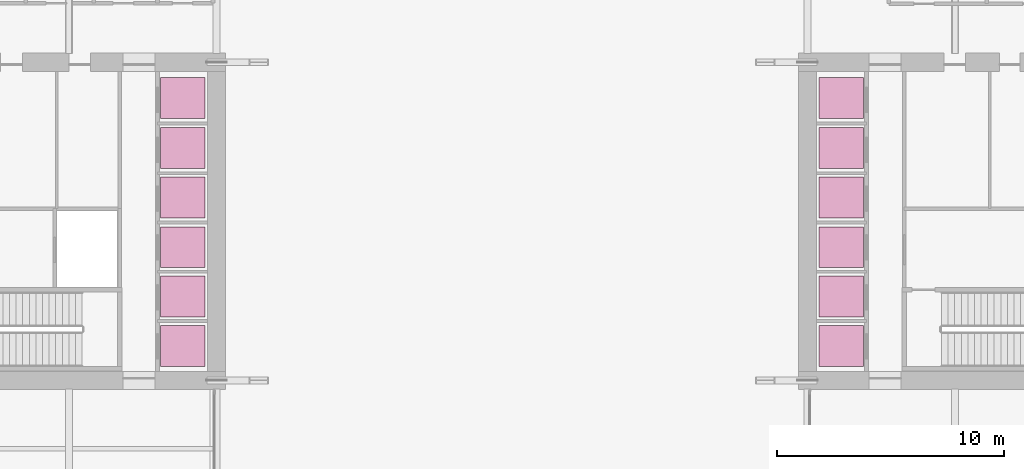
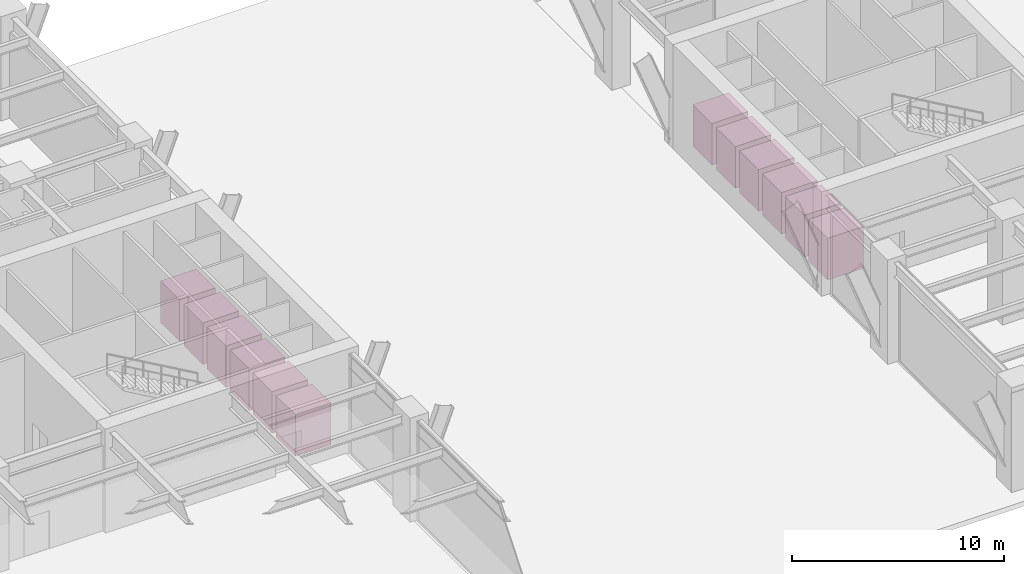
# One storey, part 20 of 20: 12 transport elements.
"""IFC4 building model written with IfcOpenShell, lengths in metres."""

from ifc_helpers import new_model, si_unit, direction, frame, origin, origin_2d, place, context, subcontext, project, spatial, rectangle, extrude, material, type_object, element, save


model = new_model("IFC4")

# Units and contexts
model_context = context("Model", 3, precision=1e-05, world=origin(), true_north=direction((0.0, 1.0)))
body_context = subcontext(model_context, "Body", "Model", "MODEL_VIEW")
ifc_project = project(units=[si_unit("LENGTHUNIT", "METRE"), si_unit("AREAUNIT", "SQUARE_METRE"), si_unit("VOLUMEUNIT", "CUBIC_METRE"), si_unit("PLANEANGLEUNIT", "RADIAN"), si_unit("MASSUNIT", "GRAM", prefix="KILO")], contexts=[model_context])

# Site, building, storey
site_placement = place(None, origin())
site = spatial("IfcSite", under=ifc_project, at=site_placement, CompositionType="ELEMENT")
building_placement = place(site_placement, origin())
building = spatial("IfcBuilding", under=site, at=building_placement, Name="Putna Gate Headquarters", CompositionType="ELEMENT")
storey_placement = place(building_placement, origin())
storey = spatial("IfcBuildingStorey", under=building, at=storey_placement, Name="L00", CompositionType="ELEMENT", Elevation=0.0)

# Transport elements
ifc_material = material(Name="Brushed bronze stainless steel elevator cab", Category="steel")
transport_element_type = type_object("IfcTransportElementType", Name="LIFT-PASS-1600KG", PredefinedType="ELEVATOR", material=ifc_material)
for number, where, z_axis, x_axis, name in (
    (1, (24.510009765625, 20.52001953125, 0.0), (0.0, 0.0, 1.0), (1.0, 0.0, 0.0), "Low-Rise Passenger Lift LF-01"),
    (2, (24.510009765625, 22.699951171875, 0.0), (0.0, 0.0, 1.0), (1.0, 0.0, 0.0), "Low-Rise Passenger Lift LF-02"),
    (3, (53.489990234375, 20.52001953125, 0.0), (0.0, 0.0, 1.0), (1.0, 0.0, 0.0), "Low-Rise Passenger Lift LF-03"),
    (4, (53.489990234375, 22.699951171875, 0.0), (0.0, 0.0, 1.0), (1.0, 0.0, 0.0), "Low-Rise Passenger Lift LF-04"),
    (5, (24.510009765625, 24.860107421875, 0.0), (0.0, 0.0, 1.0), (1.0, 0.0, 0.0), "Mid-Rise Passenger Lift LF-05"),
    (6, (24.510009765625, 27.0400390625, 0.0), (0.0, 0.0, 1.0), (1.0, 0.0, 0.0), "Mid-Rise Passenger Lift LF-06"),
    (7, (53.489990234375, 24.860107421875, 0.0), (0.0, 0.0, 1.0), (1.0, 0.0, 0.0), "Mid-Rise Passenger Lift LF-07"),
    (8, (53.489990234375, 27.0400390625, 0.0), (0.0, 0.0, 1.0), (1.0, 0.0, 0.0), "Mid-Rise Passenger Lift LF-08"),
    (9, (24.510009765625, 29.219970703125, 0.0), (0.0, 0.0, 1.0), (1.0, 0.0, 0.0), "High-Rise Passenger Lift LF-09"),
    (10, (24.510009765625, 31.419921875, 0.0), (0.0, 0.0, 1.0), (1.0, 0.0, 0.0), "High-Rise Passenger Lift LF-10"),
    (11, (53.489990234375, 29.219970703125, 0.0), (0.0, 0.0, 1.0), (1.0, 0.0, 0.0), "High-Rise Passenger Lift LF-11"),
    (12, (53.489990234375, 31.419921875, 0.0), (0.0, 0.0, 1.0), (1.0, 0.0, 0.0), "High-Rise Passenger Lift LF-12"),
):
    element("IfcTransportElement", number, at=place(storey_placement, frame(where, z_axis=z_axis, x_axis=x_axis)), inside=storey, type_object=transport_element_type, Name=name, PredefinedType="ELEVATOR", context=body_context, shape_type="SweptSolid", body=[
        extrude(rectangle(XDim=1.949951171875, YDim=1.800048828125, at=origin_2d()), origin(), (0.0, 0.0, 1.0), 2.39990234375),
    ])

save(model, "model.ifc")
